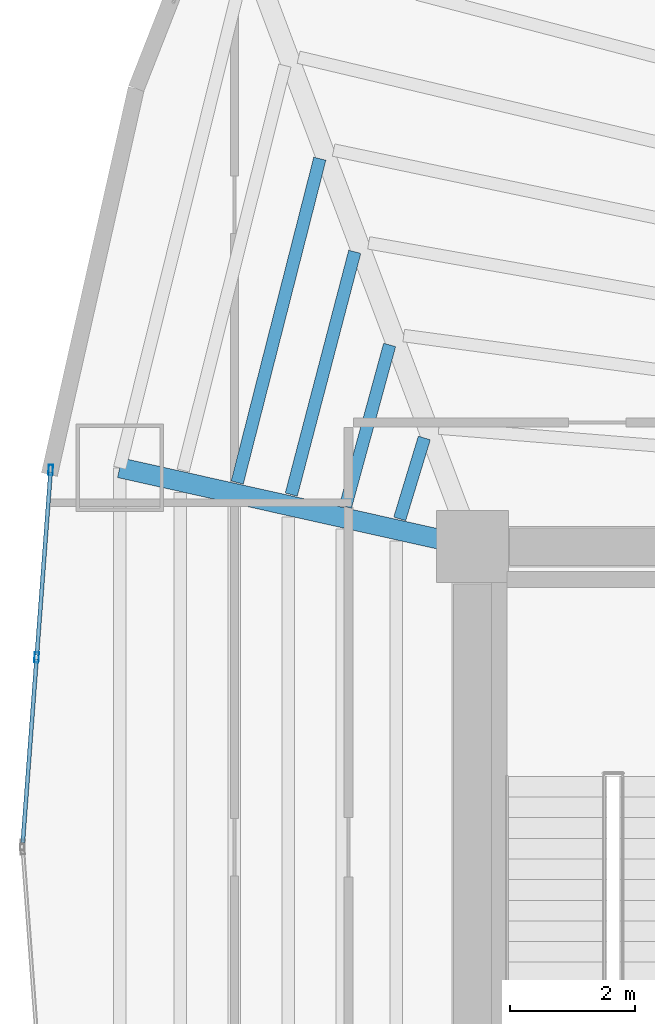
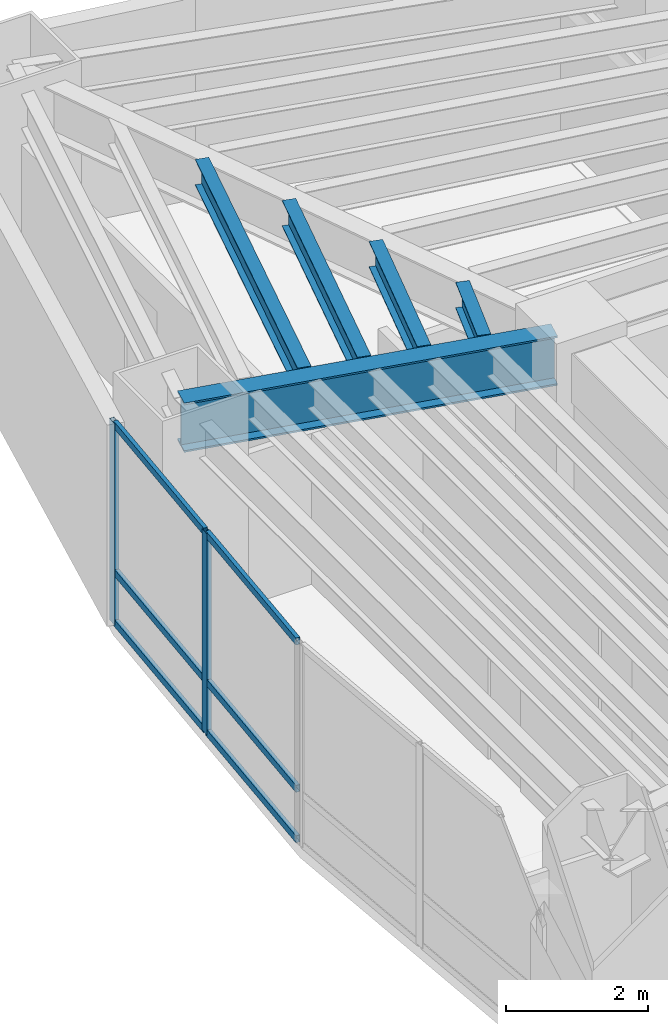
# One storey, part 7 of 17: 8 members, 5 beams, 1 element without a shape of its own.
"""IFC4 building model written with IfcOpenShell, lengths in metres."""

from ifc_helpers import new_model, si_unit, direction, frame, origin, origin_2d, place, context, subcontext, project, spatial, hollow_rectangle, i_section, extrude, material, layer, layer_set, material_profile, profile_set, type_object, element, aggregate, save


model = new_model("IFC4")

# Units and contexts
model_context = context("Model", 3, precision=1e-05, world=origin(), true_north=direction((0.0, 1.0)))
body_context = subcontext(model_context, "Body", "Model", "MODEL_VIEW")
ifc_project = project(units=[si_unit("LENGTHUNIT", "METRE"), si_unit("AREAUNIT", "SQUARE_METRE"), si_unit("VOLUMEUNIT", "CUBIC_METRE"), si_unit("PLANEANGLEUNIT", "RADIAN"), si_unit("MASSUNIT", "GRAM", prefix="KILO")], contexts=[model_context])

# Site, building, storey
site_placement = place(None, origin())
site = spatial("IfcSite", under=ifc_project, at=site_placement, CompositionType="ELEMENT")
building_placement = place(site_placement, origin())
building = spatial("IfcBuilding", under=site, at=building_placement, Name="Menara Vayukalpa", CompositionType="ELEMENT")
storey_placement = place(building_placement, frame((0.0, 0.0, 38.760009765625)))
storey = spatial("IfcBuildingStorey", under=building, at=storey_placement, Name="L08", CompositionType="ELEMENT", Elevation=38.760009765625)

# Beams
ifc_material_1 = material(Name="Steel S355", Category="steel")
ifc_material_profile_1 = material_profile(ifc_material_1, i_section(OverallWidth=0.320068359375, OverallDepth=0.85009765625, WebThickness=0.01611328125, FlangeThickness=0.030029296875, at=origin_2d()), Name="WF 850x320x16x30")
ifc_profile_set_1 = profile_set([ifc_material_profile_1], Name="Steel S355")
beam_type_1 = type_object("IfcBeamType", Name="BM-PG2", PredefinedType="BEAM", material=ifc_profile_set_1)
beam_1_placement = place(storey_placement, frame((17.555908203125, 26.8544921875, 3.044921875), z_axis=(-0.975920137818, 0.218128138031, 0.0), x_axis=(-0.218128138031, -0.975920137818, 0.0)))
element("IfcBeam", 1, at=beam_1_placement, inside=storey, type_object=beam_type_1, Name="L08 Primary Radial Girder RG05", PredefinedType="BEAM", context=body_context, shape_type="SweptSolid", body=[
    extrude(i_section(OverallWidth=0.320068359375, OverallDepth=0.85009765625, WebThickness=0.01611328125, FlangeThickness=0.030029296875, at=origin_2d()), origin(), (0.0, 0.0, 1.0), 5.524658203125),
])
ifc_material_2 = material(Name="Steel S355", Category="steel")
ifc_material_profile_2 = material_profile(ifc_material_2, i_section(OverallWidth=0.199951171875, OverallDepth=0.449951171875, WebThickness=0.009033203125, FlangeThickness=0.013916015625, at=origin_2d()), Name="WF 450x200x9x14")
ifc_profile_set_2 = profile_set([ifc_material_profile_2], Name="Steel S355")
beam_type_2 = type_object("IfcBeamType", Name="BM-SJ1", PredefinedType="JOIST", material=ifc_profile_set_2)
beam_2_placement = place(storey_placement, frame((17.03076171875, 28.535888671875, 3.244873046875), z_axis=(-0.291010568606, -0.956719838281, 0.0), x_axis=(0.956719838281, -0.291010568606, 0.0)))
element("IfcBeam", 2, at=beam_2_placement, inside=storey, type_object=beam_type_2, Name="L08 Secondary Floor Joist SJ04-1", PredefinedType="JOIST", context=body_context, shape_type="SweptSolid", body=[
    extrude(i_section(OverallWidth=0.199951171875, OverallDepth=0.449951171875, WebThickness=0.009033203125, FlangeThickness=0.013916015625, at=origin_2d()), origin(), (0.0, 0.0, 1.0), 1.3505859375),
])
beam_3_placement = place(storey_placement, frame((16.4765625, 30.0224609375, 3.244873046875), z_axis=(-0.263618546233, -0.964627006714, 0.0), x_axis=(0.964627006714, -0.263618546233, 0.0)))
element("IfcBeam", 3, at=beam_3_placement, inside=storey, type_object=beam_type_2, Name="L08 Secondary Floor Joist SJ04-2", PredefinedType="JOIST", context=body_context, shape_type="SweptSolid", body=[
    extrude(i_section(OverallWidth=0.199951171875, OverallDepth=0.449951171875, WebThickness=0.009033203125, FlangeThickness=0.013916015625, at=origin_2d()), origin(), (0.0, 0.0, 1.0), 2.67919921875),
])
beam_4_placement = place(storey_placement, frame((15.919189453125, 31.510009765625, 3.244873046875), z_axis=(-0.25283833468, -0.967508540798, 0.0), x_axis=(0.967508540798, -0.25283833468, 0.0)))
element("IfcBeam", 4, at=beam_4_placement, inside=storey, type_object=beam_type_2, Name="L08 Secondary Floor Joist SJ04-3", PredefinedType="JOIST", context=body_context, shape_type="SweptSolid", body=[
    extrude(i_section(OverallWidth=0.199951171875, OverallDepth=0.449951171875, WebThickness=0.009033203125, FlangeThickness=0.013916015625, at=origin_2d()), origin(), (0.0, 0.0, 1.0), 4.00927734375),
])
beam_5_placement = place(storey_placement, frame((15.361328125, 32.997802734375, 3.244873046875), z_axis=(-0.247105572938, -0.968988563309, 0.0), x_axis=(0.968988563309, -0.247105572938, 0.0)))
element("IfcBeam", 5, at=beam_5_placement, inside=storey, type_object=beam_type_2, Name="L08 Secondary Floor Joist SJ04-4", PredefinedType="JOIST", context=body_context, shape_type="SweptSolid", body=[
    extrude(i_section(OverallWidth=0.199951171875, OverallDepth=0.449951171875, WebThickness=0.009033203125, FlangeThickness=0.013916015625, at=origin_2d()), origin(), (0.0, 0.0, 1.0), 5.339111328125),
])

# Curtain wall, members
ifc_material_3 = material(Name="Anodised Terracotta Aluminium Alloy 6063-T6", Category="masonry")
ifc_layer = layer(ifc_material_3, 0.1650390625)
ifc_layer_set = layer_set([ifc_layer], Name="Anodised Terracotta Aluminium Alloy 6063-T6")
curtain_wall_type = type_object("IfcCurtainWallType", Name="CW-CW2", PredefinedType="USERDEFINED", material=ifc_layer_set)
curtain_wall_placement = place(storey_placement, origin())
curtain_wall = element("IfcCurtainWall", 6, at=curtain_wall_placement, inside=storey, type_object=curtain_wall_type, Name="L08 Low Rise Terracotta Ribbon Curtain Wall CW2 10", ObjectType="UNITISED", PredefinedType="USERDEFINED")
ifc_material_4 = material(Name="Anodised Terracotta Aluminium Alloy 6063-T6", Category="masonry")
ifc_material_profile_3 = material_profile(ifc_material_4, hollow_rectangle(XDim=0.070068359375, YDim=0.1650390625, WallThickness=0.00390625, at=origin_2d()), Name="ALU 70x165x4")
ifc_profile_set_3 = profile_set([ifc_material_profile_3], Name="Anodised Terracotta Aluminium Alloy 6063-T6")
member_type_1 = type_object("IfcMemberType", Name="CWM-CW2", PredefinedType="MULLION", material=ifc_profile_set_3)
member_1_placement = place(storey_placement, frame((11.0615234375, 28.024658203125, 0.0), z_axis=(0.0, 0.0, 1.0), x_axis=(0.997198941676, -0.074794857576, 0.0)))
member_1 = element("IfcMember", 7, at=member_1_placement, type_object=member_type_1, Name="CW2 mullion 1", PredefinedType="MULLION", context=body_context, shape_type="SweptSolid", body=[
    extrude(hollow_rectangle(XDim=0.070068359375, YDim=0.1650390625, WallThickness=0.00390625, at=origin_2d()), origin(), (0.0, 0.0, 1.0), 3.469970703125),
])
member_2_placement = place(storey_placement, frame((10.8369140625, 25.02978515625, 0.0), z_axis=(0.0, 0.0, 1.0), x_axis=(0.997198941676, -0.074794857576, 0.0)))
member_2 = element("IfcMember", 8, at=member_2_placement, type_object=member_type_1, Name="CW2 mullion 2", PredefinedType="MULLION", context=body_context, shape_type="SweptSolid", body=[
    extrude(hollow_rectangle(XDim=0.070068359375, YDim=0.1650390625, WallThickness=0.00390625, at=origin_2d()), origin(), (0.0, 0.0, 1.0), 3.469970703125),
])
ifc_material_5 = material(Name="Anodised Terracotta Aluminium Alloy 6063-T6", Category="masonry")
ifc_material_profile_4 = material_profile(ifc_material_5, hollow_rectangle(XDim=0.06494140625, YDim=0.1201171875, WallThickness=0.00341796875, at=origin_2d()), Name="ALU 65x120x3.5")
ifc_profile_set_4 = profile_set([ifc_material_profile_4], Name="Anodised Terracotta Aluminium Alloy 6063-T6")
member_type_2 = type_object("IfcMemberType", Name="CWT-CW2", PredefinedType="USERDEFINED", material=ifc_profile_set_4)
member_3_placement = place(storey_placement, frame((11.05908203125, 27.98974609375, 0.032470703125), z_axis=(-0.074825123723, -0.997196671103, 0.0), x_axis=(0.997196671103, -0.074825123723, 0.0)))
member_3 = element("IfcMember", 9, at=member_3_placement, type_object=member_type_2, Name="CW2 transom 1.1", ObjectType="TRANSOM", PredefinedType="USERDEFINED", context=body_context, shape_type="SweptSolid", body=[
    extrude(hollow_rectangle(XDim=0.06494140625, YDim=0.1201171875, WallThickness=0.00341796875, at=origin_2d()), origin(), (0.0, 0.0, 1.0), 2.933349609375),
])
member_4_placement = place(storey_placement, frame((11.05908203125, 27.98974609375, 0.89990234375), z_axis=(-0.074825123723, -0.997196671103, 0.0), x_axis=(0.997196671103, -0.074825123723, 0.0)))
member_4 = element("IfcMember", 10, at=member_4_placement, type_object=member_type_2, Name="CW2 transom 1.2", ObjectType="TRANSOM", PredefinedType="USERDEFINED", context=body_context, shape_type="SweptSolid", body=[
    extrude(hollow_rectangle(XDim=0.06494140625, YDim=0.1201171875, WallThickness=0.00341796875, at=origin_2d()), origin(), (0.0, 0.0, 1.0), 2.933349609375),
])
member_5_placement = place(storey_placement, frame((11.05908203125, 27.98974609375, 3.4375), z_axis=(-0.074825123723, -0.997196671103, 0.0), x_axis=(0.997196671103, -0.074825123723, 0.0)))
member_5 = element("IfcMember", 11, at=member_5_placement, type_object=member_type_2, Name="CW2 transom 1.3", ObjectType="TRANSOM", PredefinedType="USERDEFINED", context=body_context, shape_type="SweptSolid", body=[
    extrude(hollow_rectangle(XDim=0.06494140625, YDim=0.1201171875, WallThickness=0.00341796875, at=origin_2d()), origin(), (0.0, 0.0, 1.0), 2.933349609375),
])
member_6_placement = place(storey_placement, frame((10.834228515625, 24.994873046875, 0.032470703125), z_axis=(-0.074742357441, -0.997202878057, 0.0), x_axis=(0.997202878057, -0.074742357441, 0.0)))
member_6 = element("IfcMember", 12, at=member_6_placement, type_object=member_type_2, Name="CW2 transom 2.1", ObjectType="TRANSOM", PredefinedType="USERDEFINED", context=body_context, shape_type="SweptSolid", body=[
    extrude(hollow_rectangle(XDim=0.06494140625, YDim=0.1201171875, WallThickness=0.00341796875, at=origin_2d()), origin(), (0.0, 0.0, 1.0), 2.933349609375),
])
member_7_placement = place(storey_placement, frame((10.834228515625, 24.994873046875, 0.89990234375), z_axis=(-0.074742357441, -0.997202878057, 0.0), x_axis=(0.997202878057, -0.074742357441, 0.0)))
member_7 = element("IfcMember", 13, at=member_7_placement, type_object=member_type_2, Name="CW2 transom 2.2", ObjectType="TRANSOM", PredefinedType="USERDEFINED", context=body_context, shape_type="SweptSolid", body=[
    extrude(hollow_rectangle(XDim=0.06494140625, YDim=0.1201171875, WallThickness=0.00341796875, at=origin_2d()), origin(), (0.0, 0.0, 1.0), 2.933349609375),
])
member_8_placement = place(storey_placement, frame((10.834228515625, 24.994873046875, 3.4375), z_axis=(-0.074742357441, -0.997202878057, 0.0), x_axis=(0.997202878057, -0.074742357441, 0.0)))
member_8 = element("IfcMember", 14, at=member_8_placement, type_object=member_type_2, Name="CW2 transom 2.3", ObjectType="TRANSOM", PredefinedType="USERDEFINED", context=body_context, shape_type="SweptSolid", body=[
    extrude(hollow_rectangle(XDim=0.06494140625, YDim=0.1201171875, WallThickness=0.00341796875, at=origin_2d()), origin(), (0.0, 0.0, 1.0), 2.933349609375),
])
aggregate(curtain_wall, [member_1, member_2, member_3, member_4, member_5, member_6, member_7, member_8])

save(model, "model.ifc")
